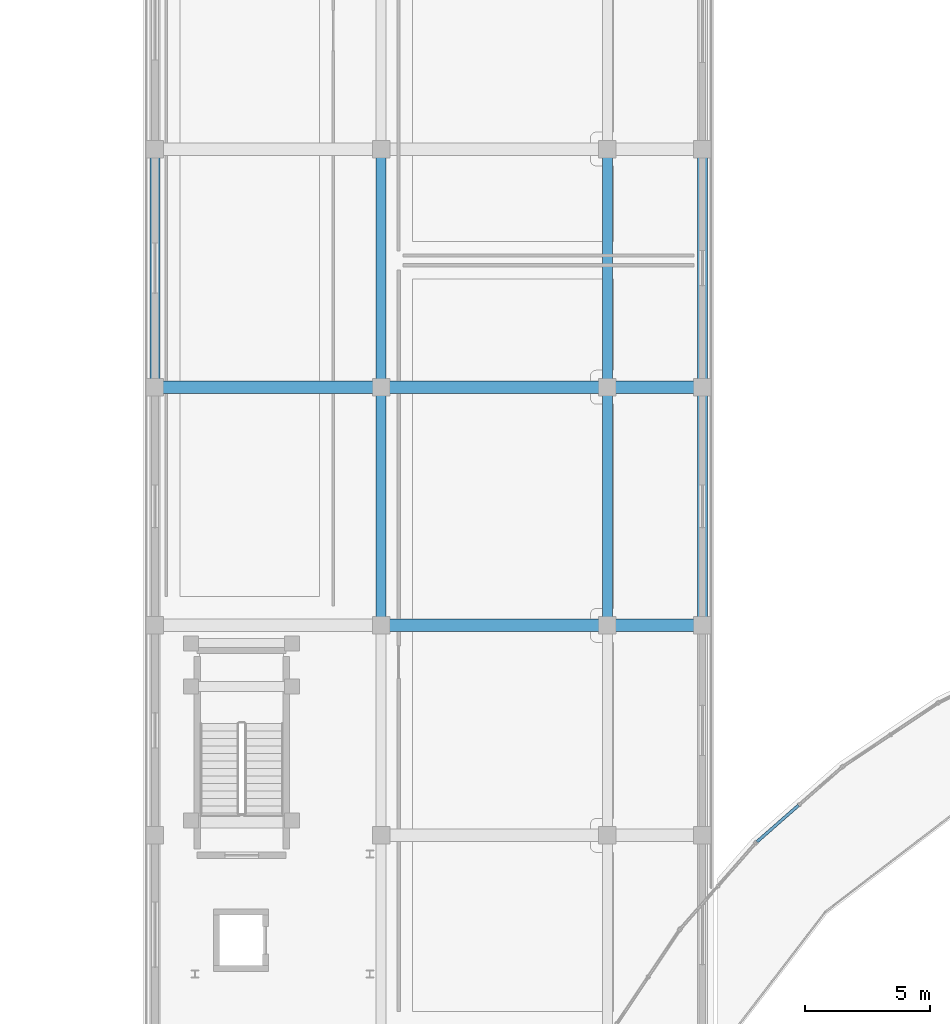
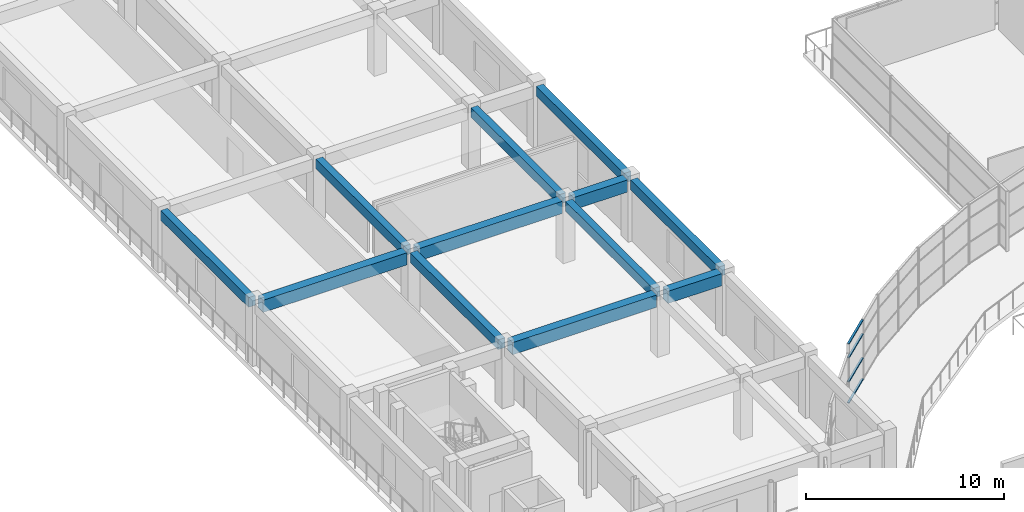
# One storey, part 27 of 83: 12 beams, 4 members, 1 element without a shape of its own.
"""IFC4 building model written with IfcOpenShell, lengths in metres."""

from ifc_helpers import new_model, si_unit, direction, frame, origin, origin_2d, place, context, subcontext, project, spatial, rectangle, extrude, material, material_profile, profile_set, type_object, element, aggregate, save


model = new_model("IFC4")

# Units and contexts
model_context = context("Model", 3, precision=1e-05, world=origin(), true_north=direction((0.0, 1.0)))
body_context = subcontext(model_context, "Body", "Model", "MODEL_VIEW")
ifc_project = project(units=[si_unit("LENGTHUNIT", "METRE"), si_unit("AREAUNIT", "SQUARE_METRE"), si_unit("VOLUMEUNIT", "CUBIC_METRE"), si_unit("PLANEANGLEUNIT", "RADIAN"), si_unit("MASSUNIT", "GRAM", prefix="KILO")], contexts=[model_context])

# Site, building, storey
site_placement = place(None, origin())
site = spatial("IfcSite", under=ifc_project, at=site_placement, CompositionType="ELEMENT")
building_placement = place(site_placement, origin())
building = spatial("IfcBuilding", under=site, at=building_placement, Name="Saryqyr Civic Hall", CompositionType="ELEMENT")
storey_placement = place(building_placement, frame((0.0, 0.0, 9.14990234375)))
storey = spatial("IfcBuildingStorey", under=building, at=storey_placement, Name="L02", CompositionType="ELEMENT", Elevation=9.14990234375)

# Curtain wall, members
ifc_material_1 = material(Name="Anodised aluminium and triple low-E glass", Category="aluminium")
curtain_wall_type = type_object("IfcCurtainWallType", Name="ENV-CW-STD-74", PredefinedType="NOTDEFINED", material=ifc_material_1)
curtain_wall_placement = place(storey_placement, origin())
curtain_wall = element("IfcCurtainWall", 1, at=curtain_wall_placement, inside=storey, type_object=curtain_wall_type, Name="Curtain wall V2-PERIM-CW-L02-17", PredefinedType="NOTDEFINED")
ifc_material_2 = material(Name="Anodised aluminium", Category="aluminium")
ifc_material_profile_1 = material_profile(ifc_material_2, rectangle(XDim=0.1201171875, YDim=0.06005859375, at=origin_2d()), Name="ALU TRANSOM 120x60")
ifc_profile_set_1 = profile_set([ifc_material_profile_1], Name="Anodised aluminium")
member_type = type_object("IfcMemberType", Name="ENV-CW-TRN-150", PredefinedType="USERDEFINED", material=ifc_profile_set_1)
member_1_placement = place(storey_placement, frame((32.140869140625, 108.94384765625, 0.030029296875), z_axis=(0.751810913025, 0.659378761453, 0.0), x_axis=(-0.659378761453, 0.751810913025, 0.0)))
member_1 = element("IfcMember", 2, at=member_1_placement, type_object=member_type, Name="CW-74 transom 1.1", ObjectType="TRANSOM", PredefinedType="USERDEFINED", context=body_context, shape_type="SweptSolid", body=[
    extrude(rectangle(XDim=0.1201171875, YDim=0.06005859375, at=origin_2d()), origin(), (0.0, 0.0, 1.0), 2.21337890625),
])
member_2_placement = place(storey_placement, frame((32.140869140625, 108.94384765625, 1.33203125), z_axis=(0.751810913025, 0.659378761453, 0.0), x_axis=(-0.659378761453, 0.751810913025, 0.0)))
member_2 = element("IfcMember", 3, at=member_2_placement, type_object=member_type, Name="CW-74 transom 1.2", ObjectType="TRANSOM", PredefinedType="USERDEFINED", context=body_context, shape_type="SweptSolid", body=[
    extrude(rectangle(XDim=0.1201171875, YDim=0.06005859375, at=origin_2d()), origin(), (0.0, 0.0, 1.0), 2.21337890625),
])
member_3_placement = place(storey_placement, frame((32.140869140625, 108.94384765625, 2.81201171875), z_axis=(0.751810913025, 0.659378761453, 0.0), x_axis=(-0.659378761453, 0.751810913025, 0.0)))
member_3 = element("IfcMember", 4, at=member_3_placement, type_object=member_type, Name="CW-74 transom 1.3", ObjectType="TRANSOM", PredefinedType="USERDEFINED", context=body_context, shape_type="SweptSolid", body=[
    extrude(rectangle(XDim=0.1201171875, YDim=0.06005859375, at=origin_2d()), origin(), (0.0, 0.0, 1.0), 2.21337890625),
])
member_4_placement = place(storey_placement, frame((32.140869140625, 108.94384765625, 3.670166015625), z_axis=(0.751810913025, 0.659378761453, 0.0), x_axis=(-0.659378761453, 0.751810913025, 0.0)))
member_4 = element("IfcMember", 5, at=member_4_placement, type_object=member_type, Name="CW-74 transom 1.4", ObjectType="TRANSOM", PredefinedType="USERDEFINED", context=body_context, shape_type="SweptSolid", body=[
    extrude(rectangle(XDim=0.1201171875, YDim=0.06005859375, at=origin_2d()), origin(), (0.0, 0.0, 1.0), 2.21337890625),
])
aggregate(curtain_wall, [member_1, member_2, member_3, member_4])

# Beams
ifc_material_3 = material(Name="Concrete C35/45", Category="concrete")
ifc_material_profile_2 = material_profile(ifc_material_3, rectangle(XDim=0.39990234375, YDim=0.60009765625, at=origin_2d()), Name="RC 400x600")
ifc_profile_set_2 = profile_set([ifc_material_profile_2], Name="Concrete C35/45")
beam_type_1 = type_object("IfcBeamType", Name="STR-BM-RC400x600", PredefinedType="BEAM", material=ifc_profile_set_2)
for number, where, z_axis, x_axis, name in (
    (6, (8.050048828125, 127.455078125, 3.489990234375), (0.0, 1.0, 0.0), (-1.0, 0.0, 0.0), "Beam V3-BM-NS-1-4-L02"),
    (7, (17.10009765625, 117.925048828125, 3.489990234375), (0.0, 1.0, 0.0), (-1.0, 0.0, 0.0), "Beam V3-BM-NS-2-3-L02"),
    (8, (17.10009765625, 127.455078125, 3.489990234375), (0.0, 1.0, 0.0), (-1.0, 0.0, 0.0), "Beam V3-BM-NS-2-4-L02"),
    (9, (26.14990234375, 117.925048828125, 3.489990234375), (0.0, 1.0, 0.0), (-1.0, 0.0, 0.0), "Beam V3-BM-NS-3-3-L02"),
    (10, (26.14990234375, 127.455078125, 3.489990234375), (0.0, 1.0, 0.0), (-1.0, 0.0, 0.0), "Beam V3-BM-NS-3-4-L02"),
    (11, (29.949951171875, 117.925048828125, 3.47998046875), (0.0, 1.0, 0.0), (-1.0, 0.0, 0.0), "Beam V3-BM-NS-4-3-L02"),
    (12, (29.949951171875, 127.455078125, 3.47998046875), (0.0, 1.0, 0.0), (-1.0, 0.0, 0.0), "Beam V3-BM-NS-4-4-L02"),
):
    element("IfcBeam", number, at=place(storey_placement, frame(where, z_axis=z_axis, x_axis=x_axis)), inside=storey, type_object=beam_type_1, Name=name, PredefinedType="BEAM", context=body_context, shape_type="SweptSolid", body=[
        extrude(rectangle(XDim=0.39990234375, YDim=0.60009765625, at=origin_2d()), origin(), (0.0, 0.0, 1.0), 8.8798828125),
    ])
ifc_material_4 = material(Name="Concrete C40/50", Category="concrete")
ifc_material_profile_3 = material_profile(ifc_material_4, rectangle(XDim=0.5, YDim=0.75, at=origin_2d()), Name="RC 500x750")
ifc_profile_set_3 = profile_set([ifc_material_profile_3], Name="Concrete C40/50")
beam_type_2 = type_object("IfcBeamType", Name="STR-BM-RC500x750", PredefinedType="BEAM", material=ifc_profile_set_3)
beam_1_placement = place(storey_placement, frame((17.425048828125, 117.60009765625, 3.4150390625), z_axis=(1.0, 0.0, 0.0), x_axis=(0.0, 1.0, 0.0)))
element("IfcBeam", 13, at=beam_1_placement, inside=storey, type_object=beam_type_2, Name="Beam V3-BM-EW-3-2-L02", PredefinedType="BEAM", context=body_context, shape_type="SweptSolid", body=[
    extrude(rectangle(XDim=0.5, YDim=0.75, at=origin_2d()), origin(), (0.0, 0.0, 1.0), 8.39990234375),
])
beam_2_placement = place(storey_placement, frame((26.47509765625, 117.60009765625, 3.405029296875), z_axis=(1.0, 0.0, 0.0), x_axis=(0.0, 1.0, 0.0)))
element("IfcBeam", 14, at=beam_2_placement, inside=storey, type_object=beam_type_2, Name="Beam V3-BM-EW-3-3-L02", PredefinedType="BEAM", context=body_context, shape_type="SweptSolid", body=[
    extrude(rectangle(XDim=0.5, YDim=0.75, at=origin_2d()), origin(), (0.0, 0.0, 1.0), 3.14990234375),
])
for number, where, z_axis, x_axis, name in (
    (15, (8.375, 127.1298828125, 3.4150390625), (1.0, 0.0, 0.0), (0.0, 1.0, 0.0), "Beam V3-BM-EW-4-1-L02"),
    (16, (17.425048828125, 127.1298828125, 3.4150390625), (1.0, 0.0, 0.0), (0.0, 1.0, 0.0), "Beam V3-BM-EW-4-2-L02"),
):
    element("IfcBeam", number, at=place(storey_placement, frame(where, z_axis=z_axis, x_axis=x_axis)), inside=storey, type_object=beam_type_2, Name=name, PredefinedType="BEAM", context=body_context, shape_type="SweptSolid", body=[
        extrude(rectangle(XDim=0.5, YDim=0.75, at=origin_2d()), origin(), (0.0, 0.0, 1.0), 8.39990234375),
    ])
beam_3_placement = place(storey_placement, frame((26.47509765625, 127.1298828125, 3.405029296875), z_axis=(1.0, 0.0, 0.0), x_axis=(0.0, 1.0, 0.0)))
element("IfcBeam", 17, at=beam_3_placement, inside=storey, type_object=beam_type_2, Name="Beam V3-BM-EW-4-3-L02", PredefinedType="BEAM", context=body_context, shape_type="SweptSolid", body=[
    extrude(rectangle(XDim=0.5, YDim=0.75, at=origin_2d()), origin(), (0.0, 0.0, 1.0), 3.14990234375),
])

save(model, "model.ifc")
